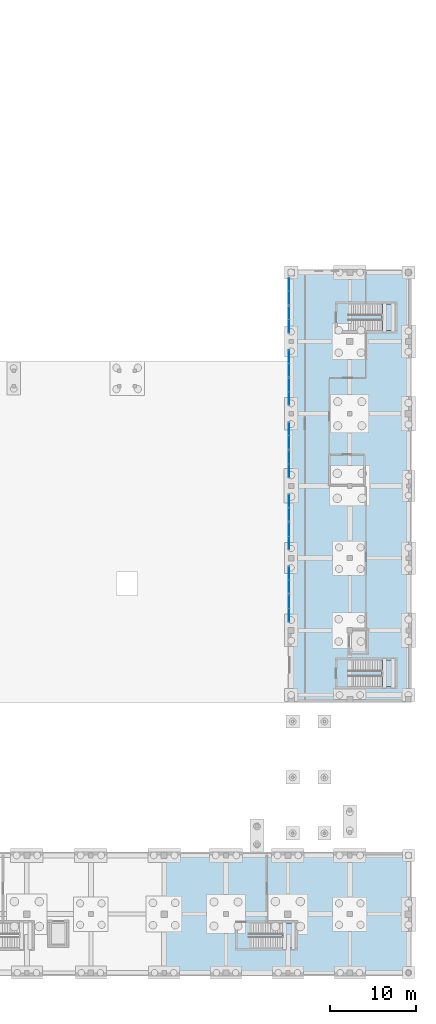
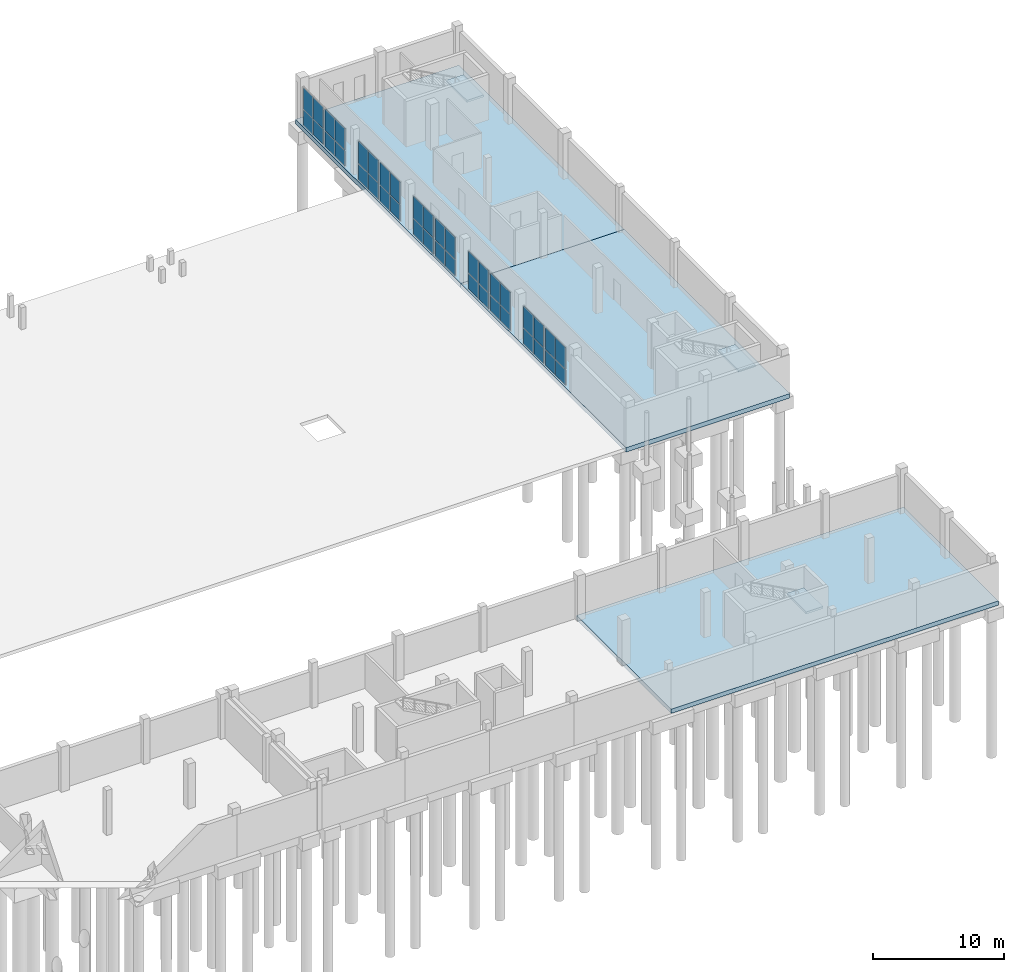
# One storey, part 23 of 41: 40 plates, 6 slabs, 13 elements without a shape of their own.
"""IFC4 building model written with IfcOpenShell, lengths in metres."""

from ifc_helpers import new_model, si_unit, direction, frame, origin, origin_2d, place, context, subcontext, project, spatial, polyline, rectangle, outline, extrude, material, layer, layer_set, type_object, element, aggregate, save


model = new_model("IFC4")

# Units and contexts
model_context = context("Model", 3, precision=1e-05, world=origin(), true_north=direction((0.0, 1.0)))
body_context = subcontext(model_context, "Body", "Model", "MODEL_VIEW")
ifc_project = project(units=[si_unit("LENGTHUNIT", "METRE"), si_unit("AREAUNIT", "SQUARE_METRE"), si_unit("VOLUMEUNIT", "CUBIC_METRE"), si_unit("PLANEANGLEUNIT", "RADIAN"), si_unit("MASSUNIT", "GRAM", prefix="KILO")], contexts=[model_context])

# Site, building, storey
site_placement = place(None, origin())
site = spatial("IfcSite", under=ifc_project, at=site_placement, CompositionType="ELEMENT")
building_placement = place(site_placement, origin())
building = spatial("IfcBuilding", under=site, at=building_placement, Name="Vardoun Plaza Health Centre", CompositionType="ELEMENT")
storey_placement = place(building_placement, frame((0.0, 0.0, -4.5)))
storey = spatial("IfcBuildingStorey", under=building, at=storey_placement, Name="B1", CompositionType="ELEMENT", Elevation=-4.5)

# Curtain wall, plates
ifc_material_1 = material(Name="Aluminium Alloy EN AW-6063-T6 and Low-E Glass", Category="aluminium")
ifc_layer_1 = layer(ifc_material_1, 0.179931640625)
ifc_layer_set_1 = layer_set([ifc_layer_1], Name="Aluminium Alloy EN AW-6063-T6 and Low-E Glass")
curtain_wall_type = type_object("IfcCurtainWallType", Name="CW-01", PredefinedType="USERDEFINED", material=ifc_layer_set_1)
curtain_wall_1_placement = place(storey_placement, origin())
curtain_wall_1 = element("IfcCurtainWall", 1, at=curtain_wall_1_placement, inside=storey, type_object=curtain_wall_type, Name="Curtain Wall CW-V6-181", ObjectType="CONCOURSE_CURTAIN_WALL", PredefinedType="USERDEFINED")
ifc_material_2 = material(Name="Acoustic Laminated Double Low-E Glazing", Category="glass")
ifc_layer_2 = layer(ifc_material_2, 0.031982421875)
ifc_layer_set_2 = layer_set([ifc_layer_2], Name="Acoustic Laminated Double Low-E Glazing")
plate_type = type_object("IfcPlateType", Name="CW-P2", PredefinedType="CURTAIN_PANEL", material=ifc_layer_set_2)
plate_1_placement = place(storey_placement, frame((151.02001953125, 46.46630859375, 0.06494140625), z_axis=(0.0, 0.0, 1.0), x_axis=(0.0, 1.0, 0.0)))
plate_1 = element("IfcPlate", 2, at=plate_1_placement, type_object=plate_type, Name="CW-V6-181 panel 1.1", PredefinedType="CURTAIN_PANEL", context=body_context, shape_type="SweptSolid", body=[
    extrude(rectangle(XDim=1.482421875, YDim=0.031982421875, at=origin_2d()), origin(), (0.0, 0.0, 1.0), 1.42919921875),
])
plate_2_placement = place(storey_placement, frame((151.02001953125, 46.46630859375, 1.559326171875), z_axis=(0.0, 0.0, 1.0), x_axis=(0.0, 1.0, 0.0)))
plate_2 = element("IfcPlate", 3, at=plate_2_placement, type_object=plate_type, Name="CW-V6-181 panel 1.2", PredefinedType="CURTAIN_PANEL", context=body_context, shape_type="SweptSolid", body=[
    extrude(rectangle(XDim=1.482421875, YDim=0.031982421875, at=origin_2d()), origin(), (0.0, 0.0, 1.0), 2.0107421875),
])
plate_3_placement = place(storey_placement, frame((151.02001953125, 48.013671875, 0.06494140625), z_axis=(0.0, 0.0, 1.0), x_axis=(0.0, 1.0, 0.0)))
plate_3 = element("IfcPlate", 4, at=plate_3_placement, type_object=plate_type, Name="CW-V6-181 panel 2.1", PredefinedType="CURTAIN_PANEL", context=body_context, shape_type="SweptSolid", body=[
    extrude(rectangle(XDim=1.482421875, YDim=0.031982421875, at=origin_2d()), origin(), (0.0, 0.0, 1.0), 1.42919921875),
])
plate_4_placement = place(storey_placement, frame((151.02001953125, 48.013671875, 1.559326171875), z_axis=(0.0, 0.0, 1.0), x_axis=(0.0, 1.0, 0.0)))
plate_4 = element("IfcPlate", 5, at=plate_4_placement, type_object=plate_type, Name="CW-V6-181 panel 2.2", PredefinedType="CURTAIN_PANEL", context=body_context, shape_type="SweptSolid", body=[
    extrude(rectangle(XDim=1.482421875, YDim=0.031982421875, at=origin_2d()), origin(), (0.0, 0.0, 1.0), 2.0107421875),
])
aggregate(curtain_wall_1, [plate_1, plate_2, plate_3, plate_4])

curtain_wall_2_placement = place(storey_placement, origin())
curtain_wall_2 = element("IfcCurtainWall", 6, at=curtain_wall_2_placement, inside=storey, type_object=curtain_wall_type, Name="Curtain Wall CW-V6-182", ObjectType="CONCOURSE_CURTAIN_WALL", PredefinedType="USERDEFINED")
plate_5_placement = place(storey_placement, frame((151.02001953125, 49.7861328125, 0.06494140625), z_axis=(0.0, 0.0, 1.0), x_axis=(0.0, 1.0, 0.0)))
plate_5 = element("IfcPlate", 7, at=plate_5_placement, type_object=plate_type, Name="CW-V6-182 panel 1.1", PredefinedType="CURTAIN_PANEL", context=body_context, shape_type="SweptSolid", body=[
    extrude(rectangle(XDim=1.482421875, YDim=0.031982421875, at=origin_2d()), origin(), (0.0, 0.0, 1.0), 1.42919921875),
])
plate_6_placement = place(storey_placement, frame((151.02001953125, 49.7861328125, 1.559326171875), z_axis=(0.0, 0.0, 1.0), x_axis=(0.0, 1.0, 0.0)))
plate_6 = element("IfcPlate", 8, at=plate_6_placement, type_object=plate_type, Name="CW-V6-182 panel 1.2", PredefinedType="CURTAIN_PANEL", context=body_context, shape_type="SweptSolid", body=[
    extrude(rectangle(XDim=1.482421875, YDim=0.031982421875, at=origin_2d()), origin(), (0.0, 0.0, 1.0), 2.0107421875),
])
plate_7_placement = place(storey_placement, frame((151.02001953125, 51.333740234375, 0.06494140625), z_axis=(0.0, 0.0, 1.0), x_axis=(0.0, 1.0, 0.0)))
plate_7 = element("IfcPlate", 9, at=plate_7_placement, type_object=plate_type, Name="CW-V6-182 panel 2.1", PredefinedType="CURTAIN_PANEL", context=body_context, shape_type="SweptSolid", body=[
    extrude(rectangle(XDim=1.482421875, YDim=0.031982421875, at=origin_2d()), origin(), (0.0, 0.0, 1.0), 1.42919921875),
])
plate_8_placement = place(storey_placement, frame((151.02001953125, 51.333740234375, 1.559326171875), z_axis=(0.0, 0.0, 1.0), x_axis=(0.0, 1.0, 0.0)))
plate_8 = element("IfcPlate", 10, at=plate_8_placement, type_object=plate_type, Name="CW-V6-182 panel 2.2", PredefinedType="CURTAIN_PANEL", context=body_context, shape_type="SweptSolid", body=[
    extrude(rectangle(XDim=1.482421875, YDim=0.031982421875, at=origin_2d()), origin(), (0.0, 0.0, 1.0), 2.0107421875),
])
aggregate(curtain_wall_2, [plate_5, plate_6, plate_7, plate_8])

curtain_wall_3_placement = place(storey_placement, origin())
curtain_wall_3 = element("IfcCurtainWall", 11, at=curtain_wall_3_placement, inside=storey, type_object=curtain_wall_type, Name="Curtain Wall CW-V6-183", ObjectType="CONCOURSE_CURTAIN_WALL", PredefinedType="USERDEFINED")
plate_9_placement = place(storey_placement, frame((151.02001953125, 54.8662109375, 0.06494140625), z_axis=(0.0, 0.0, 1.0), x_axis=(0.0, 1.0, 0.0)))
plate_9 = element("IfcPlate", 12, at=plate_9_placement, type_object=plate_type, Name="CW-V6-183 panel 1.1", PredefinedType="CURTAIN_PANEL", context=body_context, shape_type="SweptSolid", body=[
    extrude(rectangle(XDim=1.482421875, YDim=0.031982421875, at=origin_2d()), origin(), (0.0, 0.0, 1.0), 1.4375),
])
plate_10_placement = place(storey_placement, frame((151.02001953125, 54.8662109375, 1.567626953125), z_axis=(0.0, 0.0, 1.0), x_axis=(0.0, 1.0, 0.0)))
plate_10 = element("IfcPlate", 13, at=plate_10_placement, type_object=plate_type, Name="CW-V6-183 panel 1.2", PredefinedType="CURTAIN_PANEL", context=body_context, shape_type="SweptSolid", body=[
    extrude(rectangle(XDim=1.482421875, YDim=0.031982421875, at=origin_2d()), origin(), (0.0, 0.0, 1.0), 2.0224609375),
])
plate_11_placement = place(storey_placement, frame((151.02001953125, 56.413818359375, 0.06494140625), z_axis=(0.0, 0.0, 1.0), x_axis=(0.0, 1.0, 0.0)))
plate_11 = element("IfcPlate", 14, at=plate_11_placement, type_object=plate_type, Name="CW-V6-183 panel 2.1", PredefinedType="CURTAIN_PANEL", context=body_context, shape_type="SweptSolid", body=[
    extrude(rectangle(XDim=1.482421875, YDim=0.031982421875, at=origin_2d()), origin(), (0.0, 0.0, 1.0), 1.4375),
])
plate_12_placement = place(storey_placement, frame((151.02001953125, 56.413818359375, 1.567626953125), z_axis=(0.0, 0.0, 1.0), x_axis=(0.0, 1.0, 0.0)))
plate_12 = element("IfcPlate", 15, at=plate_12_placement, type_object=plate_type, Name="CW-V6-183 panel 2.2", PredefinedType="CURTAIN_PANEL", context=body_context, shape_type="SweptSolid", body=[
    extrude(rectangle(XDim=1.482421875, YDim=0.031982421875, at=origin_2d()), origin(), (0.0, 0.0, 1.0), 2.0224609375),
])
aggregate(curtain_wall_3, [plate_9, plate_10, plate_11, plate_12])

curtain_wall_4_placement = place(storey_placement, origin())
curtain_wall_4 = element("IfcCurtainWall", 16, at=curtain_wall_4_placement, inside=storey, type_object=curtain_wall_type, Name="Curtain Wall CW-V6-184", ObjectType="CONCOURSE_CURTAIN_WALL", PredefinedType="USERDEFINED")
plate_13_placement = place(storey_placement, frame((151.02001953125, 58.186279296875, 0.06494140625), z_axis=(0.0, 0.0, 1.0), x_axis=(0.0, 1.0, 0.0)))
plate_13 = element("IfcPlate", 17, at=plate_13_placement, type_object=plate_type, Name="CW-V6-184 panel 1.1", PredefinedType="CURTAIN_PANEL", context=body_context, shape_type="SweptSolid", body=[
    extrude(rectangle(XDim=1.482421875, YDim=0.031982421875, at=origin_2d()), origin(), (0.0, 0.0, 1.0), 1.4375),
])
plate_14_placement = place(storey_placement, frame((151.02001953125, 58.186279296875, 1.567626953125), z_axis=(0.0, 0.0, 1.0), x_axis=(0.0, 1.0, 0.0)))
plate_14 = element("IfcPlate", 18, at=plate_14_placement, type_object=plate_type, Name="CW-V6-184 panel 1.2", PredefinedType="CURTAIN_PANEL", context=body_context, shape_type="SweptSolid", body=[
    extrude(rectangle(XDim=1.482421875, YDim=0.031982421875, at=origin_2d()), origin(), (0.0, 0.0, 1.0), 2.0224609375),
])
plate_15_placement = place(storey_placement, frame((151.02001953125, 59.733642578125, 0.06494140625), z_axis=(0.0, 0.0, 1.0), x_axis=(0.0, 1.0, 0.0)))
plate_15 = element("IfcPlate", 19, at=plate_15_placement, type_object=plate_type, Name="CW-V6-184 panel 2.1", PredefinedType="CURTAIN_PANEL", context=body_context, shape_type="SweptSolid", body=[
    extrude(rectangle(XDim=1.482421875, YDim=0.031982421875, at=origin_2d()), origin(), (0.0, 0.0, 1.0), 1.4375),
])
plate_16_placement = place(storey_placement, frame((151.02001953125, 59.733642578125, 1.567626953125), z_axis=(0.0, 0.0, 1.0), x_axis=(0.0, 1.0, 0.0)))
plate_16 = element("IfcPlate", 20, at=plate_16_placement, type_object=plate_type, Name="CW-V6-184 panel 2.2", PredefinedType="CURTAIN_PANEL", context=body_context, shape_type="SweptSolid", body=[
    extrude(rectangle(XDim=1.482421875, YDim=0.031982421875, at=origin_2d()), origin(), (0.0, 0.0, 1.0), 2.0224609375),
])
aggregate(curtain_wall_4, [plate_13, plate_14, plate_15, plate_16])

curtain_wall_5_placement = place(storey_placement, origin())
curtain_wall_5 = element("IfcCurtainWall", 21, at=curtain_wall_5_placement, inside=storey, type_object=curtain_wall_type, Name="Curtain Wall CW-V6-185", ObjectType="CONCOURSE_CURTAIN_WALL", PredefinedType="USERDEFINED")
plate_17_placement = place(storey_placement, frame((151.02001953125, 63.266357421875, 0.06494140625), z_axis=(0.0, 0.0, 1.0), x_axis=(0.0, 1.0, 0.0)))
plate_17 = element("IfcPlate", 22, at=plate_17_placement, type_object=plate_type, Name="CW-V6-185 panel 1.1", PredefinedType="CURTAIN_PANEL", context=body_context, shape_type="SweptSolid", body=[
    extrude(rectangle(XDim=1.482421875, YDim=0.031982421875, at=origin_2d()), origin(), (0.0, 0.0, 1.0), 1.4501953125),
])
plate_18_placement = place(storey_placement, frame((151.02001953125, 63.266357421875, 1.580078125), z_axis=(0.0, 0.0, 1.0), x_axis=(0.0, 1.0, 0.0)))
plate_18 = element("IfcPlate", 23, at=plate_18_placement, type_object=plate_type, Name="CW-V6-185 panel 1.2", PredefinedType="CURTAIN_PANEL", context=body_context, shape_type="SweptSolid", body=[
    extrude(rectangle(XDim=1.482421875, YDim=0.031982421875, at=origin_2d()), origin(), (0.0, 0.0, 1.0), 2.039794921875),
])
plate_19_placement = place(storey_placement, frame((151.02001953125, 64.813720703125, 0.06494140625), z_axis=(0.0, 0.0, 1.0), x_axis=(0.0, 1.0, 0.0)))
plate_19 = element("IfcPlate", 24, at=plate_19_placement, type_object=plate_type, Name="CW-V6-185 panel 2.1", PredefinedType="CURTAIN_PANEL", context=body_context, shape_type="SweptSolid", body=[
    extrude(rectangle(XDim=1.482421875, YDim=0.031982421875, at=origin_2d()), origin(), (0.0, 0.0, 1.0), 1.4501953125),
])
plate_20_placement = place(storey_placement, frame((151.02001953125, 64.813720703125, 1.580078125), z_axis=(0.0, 0.0, 1.0), x_axis=(0.0, 1.0, 0.0)))
plate_20 = element("IfcPlate", 25, at=plate_20_placement, type_object=plate_type, Name="CW-V6-185 panel 2.2", PredefinedType="CURTAIN_PANEL", context=body_context, shape_type="SweptSolid", body=[
    extrude(rectangle(XDim=1.482421875, YDim=0.031982421875, at=origin_2d()), origin(), (0.0, 0.0, 1.0), 2.039794921875),
])
aggregate(curtain_wall_5, [plate_17, plate_18, plate_19, plate_20])

curtain_wall_6_placement = place(storey_placement, origin())
curtain_wall_6 = element("IfcCurtainWall", 26, at=curtain_wall_6_placement, inside=storey, type_object=curtain_wall_type, Name="Curtain Wall CW-V6-186", ObjectType="CONCOURSE_CURTAIN_WALL", PredefinedType="USERDEFINED")
plate_21_placement = place(storey_placement, frame((151.02001953125, 66.586181640625, 0.06494140625), z_axis=(0.0, 0.0, 1.0), x_axis=(0.0, 1.0, 0.0)))
plate_21 = element("IfcPlate", 27, at=plate_21_placement, type_object=plate_type, Name="CW-V6-186 panel 1.1", PredefinedType="CURTAIN_PANEL", context=body_context, shape_type="SweptSolid", body=[
    extrude(rectangle(XDim=1.482421875, YDim=0.031982421875, at=origin_2d()), origin(), (0.0, 0.0, 1.0), 1.4501953125),
])
plate_22_placement = place(storey_placement, frame((151.02001953125, 66.586181640625, 1.580078125), z_axis=(0.0, 0.0, 1.0), x_axis=(0.0, 1.0, 0.0)))
plate_22 = element("IfcPlate", 28, at=plate_22_placement, type_object=plate_type, Name="CW-V6-186 panel 1.2", PredefinedType="CURTAIN_PANEL", context=body_context, shape_type="SweptSolid", body=[
    extrude(rectangle(XDim=1.482421875, YDim=0.031982421875, at=origin_2d()), origin(), (0.0, 0.0, 1.0), 2.039794921875),
])
plate_23_placement = place(storey_placement, frame((151.02001953125, 68.1337890625, 0.06494140625), z_axis=(0.0, 0.0, 1.0), x_axis=(0.0, 1.0, 0.0)))
plate_23 = element("IfcPlate", 29, at=plate_23_placement, type_object=plate_type, Name="CW-V6-186 panel 2.1", PredefinedType="CURTAIN_PANEL", context=body_context, shape_type="SweptSolid", body=[
    extrude(rectangle(XDim=1.482421875, YDim=0.031982421875, at=origin_2d()), origin(), (0.0, 0.0, 1.0), 1.4501953125),
])
plate_24_placement = place(storey_placement, frame((151.02001953125, 68.1337890625, 1.580078125), z_axis=(0.0, 0.0, 1.0), x_axis=(0.0, 1.0, 0.0)))
plate_24 = element("IfcPlate", 30, at=plate_24_placement, type_object=plate_type, Name="CW-V6-186 panel 2.2", PredefinedType="CURTAIN_PANEL", context=body_context, shape_type="SweptSolid", body=[
    extrude(rectangle(XDim=1.482421875, YDim=0.031982421875, at=origin_2d()), origin(), (0.0, 0.0, 1.0), 2.039794921875),
])
aggregate(curtain_wall_6, [plate_21, plate_22, plate_23, plate_24])

curtain_wall_7_placement = place(storey_placement, origin())
curtain_wall_7 = element("IfcCurtainWall", 31, at=curtain_wall_7_placement, inside=storey, type_object=curtain_wall_type, Name="Curtain Wall CW-V6-187", ObjectType="CONCOURSE_CURTAIN_WALL", PredefinedType="USERDEFINED")
plate_25_placement = place(storey_placement, frame((151.02001953125, 71.666259765625, 0.06494140625), z_axis=(0.0, 0.0, 1.0), x_axis=(0.0, 1.0, 0.0)))
plate_25 = element("IfcPlate", 32, at=plate_25_placement, type_object=plate_type, Name="CW-V6-187 panel 1.1", PredefinedType="CURTAIN_PANEL", context=body_context, shape_type="SweptSolid", body=[
    extrude(rectangle(XDim=1.482421875, YDim=0.031982421875, at=origin_2d()), origin(), (0.0, 0.0, 1.0), 1.47119140625),
])
plate_26_placement = place(storey_placement, frame((151.02001953125, 71.666259765625, 1.60107421875), z_axis=(0.0, 0.0, 1.0), x_axis=(0.0, 1.0, 0.0)))
plate_26 = element("IfcPlate", 33, at=plate_26_placement, type_object=plate_type, Name="CW-V6-187 panel 1.2", PredefinedType="CURTAIN_PANEL", context=body_context, shape_type="SweptSolid", body=[
    extrude(rectangle(XDim=1.482421875, YDim=0.031982421875, at=origin_2d()), origin(), (0.0, 0.0, 1.0), 2.06884765625),
])
plate_27_placement = place(storey_placement, frame((151.02001953125, 73.2138671875, 0.06494140625), z_axis=(0.0, 0.0, 1.0), x_axis=(0.0, 1.0, 0.0)))
plate_27 = element("IfcPlate", 34, at=plate_27_placement, type_object=plate_type, Name="CW-V6-187 panel 2.1", PredefinedType="CURTAIN_PANEL", context=body_context, shape_type="SweptSolid", body=[
    extrude(rectangle(XDim=1.482421875, YDim=0.031982421875, at=origin_2d()), origin(), (0.0, 0.0, 1.0), 1.47119140625),
])
plate_28_placement = place(storey_placement, frame((151.02001953125, 73.2138671875, 1.60107421875), z_axis=(0.0, 0.0, 1.0), x_axis=(0.0, 1.0, 0.0)))
plate_28 = element("IfcPlate", 35, at=plate_28_placement, type_object=plate_type, Name="CW-V6-187 panel 2.2", PredefinedType="CURTAIN_PANEL", context=body_context, shape_type="SweptSolid", body=[
    extrude(rectangle(XDim=1.482421875, YDim=0.031982421875, at=origin_2d()), origin(), (0.0, 0.0, 1.0), 2.06884765625),
])
aggregate(curtain_wall_7, [plate_25, plate_26, plate_27, plate_28])

curtain_wall_8_placement = place(storey_placement, origin())
curtain_wall_8 = element("IfcCurtainWall", 36, at=curtain_wall_8_placement, inside=storey, type_object=curtain_wall_type, Name="Curtain Wall CW-V6-188", ObjectType="CONCOURSE_CURTAIN_WALL", PredefinedType="USERDEFINED")
plate_29_placement = place(storey_placement, frame((151.02001953125, 74.986328125, 0.06494140625), z_axis=(0.0, 0.0, 1.0), x_axis=(0.0, 1.0, 0.0)))
plate_29 = element("IfcPlate", 37, at=plate_29_placement, type_object=plate_type, Name="CW-V6-188 panel 1.1", PredefinedType="CURTAIN_PANEL", context=body_context, shape_type="SweptSolid", body=[
    extrude(rectangle(XDim=1.482421875, YDim=0.031982421875, at=origin_2d()), origin(), (0.0, 0.0, 1.0), 1.47119140625),
])
plate_30_placement = place(storey_placement, frame((151.02001953125, 74.986328125, 1.60107421875), z_axis=(0.0, 0.0, 1.0), x_axis=(0.0, 1.0, 0.0)))
plate_30 = element("IfcPlate", 38, at=plate_30_placement, type_object=plate_type, Name="CW-V6-188 panel 1.2", PredefinedType="CURTAIN_PANEL", context=body_context, shape_type="SweptSolid", body=[
    extrude(rectangle(XDim=1.482421875, YDim=0.031982421875, at=origin_2d()), origin(), (0.0, 0.0, 1.0), 2.06884765625),
])
plate_31_placement = place(storey_placement, frame((151.02001953125, 76.53369140625, 0.06494140625), z_axis=(0.0, 0.0, 1.0), x_axis=(0.0, 1.0, 0.0)))
plate_31 = element("IfcPlate", 39, at=plate_31_placement, type_object=plate_type, Name="CW-V6-188 panel 2.1", PredefinedType="CURTAIN_PANEL", context=body_context, shape_type="SweptSolid", body=[
    extrude(rectangle(XDim=1.482421875, YDim=0.031982421875, at=origin_2d()), origin(), (0.0, 0.0, 1.0), 1.47119140625),
])
plate_32_placement = place(storey_placement, frame((151.02001953125, 76.53369140625, 1.60107421875), z_axis=(0.0, 0.0, 1.0), x_axis=(0.0, 1.0, 0.0)))
plate_32 = element("IfcPlate", 40, at=plate_32_placement, type_object=plate_type, Name="CW-V6-188 panel 2.2", PredefinedType="CURTAIN_PANEL", context=body_context, shape_type="SweptSolid", body=[
    extrude(rectangle(XDim=1.482421875, YDim=0.031982421875, at=origin_2d()), origin(), (0.0, 0.0, 1.0), 2.06884765625),
])
aggregate(curtain_wall_8, [plate_29, plate_30, plate_31, plate_32])

curtain_wall_9_placement = place(storey_placement, origin())
curtain_wall_9 = element("IfcCurtainWall", 41, at=curtain_wall_9_placement, inside=storey, type_object=curtain_wall_type, Name="Curtain Wall CW-V6-189", ObjectType="CONCOURSE_CURTAIN_WALL", PredefinedType="USERDEFINED")
plate_33_placement = place(storey_placement, frame((151.02001953125, 80.066162109375, 0.06494140625), z_axis=(0.0, 0.0, 1.0), x_axis=(0.0, 1.0, 0.0)))
plate_33 = element("IfcPlate", 42, at=plate_33_placement, type_object=plate_type, Name="CW-V6-189 panel 1.1", PredefinedType="CURTAIN_PANEL", context=body_context, shape_type="SweptSolid", body=[
    extrude(rectangle(XDim=1.482421875, YDim=0.031982421875, at=origin_2d()), origin(), (0.0, 0.0, 1.0), 1.4208984375),
])
plate_34_placement = place(storey_placement, frame((151.02001953125, 80.066162109375, 1.55078125), z_axis=(0.0, 0.0, 1.0), x_axis=(0.0, 1.0, 0.0)))
plate_34 = element("IfcPlate", 43, at=plate_34_placement, type_object=plate_type, Name="CW-V6-189 panel 1.2", PredefinedType="CURTAIN_PANEL", context=body_context, shape_type="SweptSolid", body=[
    extrude(rectangle(XDim=1.482421875, YDim=0.031982421875, at=origin_2d()), origin(), (0.0, 0.0, 1.0), 1.999267578125),
])
plate_35_placement = place(storey_placement, frame((151.02001953125, 81.61376953125, 0.06494140625), z_axis=(0.0, 0.0, 1.0), x_axis=(0.0, 1.0, 0.0)))
plate_35 = element("IfcPlate", 44, at=plate_35_placement, type_object=plate_type, Name="CW-V6-189 panel 2.1", PredefinedType="CURTAIN_PANEL", context=body_context, shape_type="SweptSolid", body=[
    extrude(rectangle(XDim=1.482421875, YDim=0.031982421875, at=origin_2d()), origin(), (0.0, 0.0, 1.0), 1.4208984375),
])
plate_36_placement = place(storey_placement, frame((151.02001953125, 81.61376953125, 1.55078125), z_axis=(0.0, 0.0, 1.0), x_axis=(0.0, 1.0, 0.0)))
plate_36 = element("IfcPlate", 45, at=plate_36_placement, type_object=plate_type, Name="CW-V6-189 panel 2.2", PredefinedType="CURTAIN_PANEL", context=body_context, shape_type="SweptSolid", body=[
    extrude(rectangle(XDim=1.482421875, YDim=0.031982421875, at=origin_2d()), origin(), (0.0, 0.0, 1.0), 1.999267578125),
])
aggregate(curtain_wall_9, [plate_33, plate_34, plate_35, plate_36])

curtain_wall_10_placement = place(storey_placement, origin())
curtain_wall_10 = element("IfcCurtainWall", 46, at=curtain_wall_10_placement, inside=storey, type_object=curtain_wall_type, Name="Curtain Wall CW-V6-190", ObjectType="CONCOURSE_CURTAIN_WALL", PredefinedType="USERDEFINED")
plate_37_placement = place(storey_placement, frame((151.02001953125, 83.38623046875, 0.06494140625), z_axis=(0.0, 0.0, 1.0), x_axis=(0.0, 1.0, 0.0)))
plate_37 = element("IfcPlate", 47, at=plate_37_placement, type_object=plate_type, Name="CW-V6-190 panel 1.1", PredefinedType="CURTAIN_PANEL", context=body_context, shape_type="SweptSolid", body=[
    extrude(rectangle(XDim=1.482421875, YDim=0.031982421875, at=origin_2d()), origin(), (0.0, 0.0, 1.0), 1.4208984375),
])
plate_38_placement = place(storey_placement, frame((151.02001953125, 83.38623046875, 1.55078125), z_axis=(0.0, 0.0, 1.0), x_axis=(0.0, 1.0, 0.0)))
plate_38 = element("IfcPlate", 48, at=plate_38_placement, type_object=plate_type, Name="CW-V6-190 panel 1.2", PredefinedType="CURTAIN_PANEL", context=body_context, shape_type="SweptSolid", body=[
    extrude(rectangle(XDim=1.482421875, YDim=0.031982421875, at=origin_2d()), origin(), (0.0, 0.0, 1.0), 1.999267578125),
])
plate_39_placement = place(storey_placement, frame((151.02001953125, 84.933837890625, 0.06494140625), z_axis=(0.0, 0.0, 1.0), x_axis=(0.0, 1.0, 0.0)))
plate_39 = element("IfcPlate", 49, at=plate_39_placement, type_object=plate_type, Name="CW-V6-190 panel 2.1", PredefinedType="CURTAIN_PANEL", context=body_context, shape_type="SweptSolid", body=[
    extrude(rectangle(XDim=1.482421875, YDim=0.031982421875, at=origin_2d()), origin(), (0.0, 0.0, 1.0), 1.4208984375),
])
plate_40_placement = place(storey_placement, frame((151.02001953125, 84.933837890625, 1.55078125), z_axis=(0.0, 0.0, 1.0), x_axis=(0.0, 1.0, 0.0)))
plate_40 = element("IfcPlate", 50, at=plate_40_placement, type_object=plate_type, Name="CW-V6-190 panel 2.2", PredefinedType="CURTAIN_PANEL", context=body_context, shape_type="SweptSolid", body=[
    extrude(rectangle(XDim=1.482421875, YDim=0.031982421875, at=origin_2d()), origin(), (0.0, 0.0, 1.0), 1.999267578125),
])
aggregate(curtain_wall_10, [plate_37, plate_38, plate_39, plate_40])

# Stair, slab
ifc_material_3 = material(Name="Concrete C35/45", Category="concrete")
stair_type = type_object("IfcStairType", Name="ST-01", PredefinedType="HALF_TURN_STAIR", material=ifc_material_3)
stair_1_placement = place(storey_placement, origin())
stair_1 = element("IfcStair", 51, at=stair_1_placement, inside=storey, type_object=stair_type, Name="Core C10 B1 Exit Stair ST-C10-B1", PredefinedType="HALF_TURN_STAIR")
ifc_material_4 = material(Name="Concrete C35/45", Category="concrete")
ifc_layer_3 = layer(ifc_material_4, 0.199951171875)
ifc_layer_set_3 = layer_set([ifc_layer_3], Name="Concrete C35/45")
slab_type_1 = type_object("IfcSlabType", Name="SL-LD", PredefinedType="LANDING", material=ifc_layer_set_3)
slab_1_placement = place(storey_placement, frame((0.0, 0.0, 2.050048828125)))
slab_1 = element("IfcSlab", 52, at=slab_1_placement, type_object=slab_type_1, Name="ST-C10-B1 landing 1", PredefinedType="LANDING", context=body_context, shape_type="SweptSolid", body=[
    extrude(outline(polyline([(161.869384765625, 38.14990234375), (163.35009765625, 38.14990234375), (163.35009765625, 41.25), (161.869384765625, 41.25), (161.869384765625, 38.14990234375)])), origin(), (0.0, 0.0, 1.0), 0.199951171875),
])
aggregate(stair_1, [slab_1])

stair_2_placement = place(storey_placement, origin())
stair_2 = element("IfcStair", 53, at=stair_2_placement, inside=storey, type_object=stair_type, Name="Core C11 B1 Exit Stair ST-C11-B1", PredefinedType="HALF_TURN_STAIR")
slab_2_placement = place(storey_placement, frame((0.0, 0.0, 2.050048828125)))
slab_2 = element("IfcSlab", 54, at=slab_2_placement, type_object=slab_type_1, Name="ST-C11-B1 landing 1", PredefinedType="LANDING", context=body_context, shape_type="SweptSolid", body=[
    extrude(outline(polyline([(161.869384765625, 79.550048828125), (163.35009765625, 79.550048828125), (163.35009765625, 82.64990234375), (161.869384765625, 82.64990234375), (161.869384765625, 79.550048828125)])), origin(), (0.0, 0.0, 1.0), 0.199951171875),
])
aggregate(stair_2, [slab_2])

stair_3_placement = place(storey_placement, origin())
stair_3 = element("IfcStair", 55, at=stair_3_placement, inside=storey, type_object=stair_type, Name="Core C9 B1 Exit Stair ST-C9-B1", PredefinedType="HALF_TURN_STAIR")
slab_3_placement = place(storey_placement, frame((0.0, 0.0, 2.050048828125)))
slab_3 = element("IfcSlab", 56, at=slab_3_placement, type_object=slab_type_1, Name="ST-C9-B1 landing 1", PredefinedType="LANDING", context=body_context, shape_type="SweptSolid", body=[
    extrude(outline(polyline([(150.269287109375, 7.75), (151.75, 7.75), (151.75, 10.64990234375), (150.269287109375, 10.64990234375), (150.269287109375, 7.75)])), origin(), (0.0, 0.0, 1.0), 0.199951171875),
])
aggregate(stair_3, [slab_3])

# Slabs
ifc_material_5 = material(Name="Concrete C35/45", Category="concrete")
ifc_layer_4 = layer(ifc_material_5, 0.39990234375)
ifc_layer_set_4 = layer_set([ifc_layer_4], Name="Concrete C35/45")
slab_type_2 = type_object("IfcSlabType", Name="SL-B2", PredefinedType="BASESLAB", material=ifc_layer_set_4)
slab_4_placement = place(storey_placement, frame((0.0, 0.0, -0.39990234375)))
element("IfcSlab", 57, at=slab_4_placement, inside=storey, type_object=slab_type_2, Name="V5 B1 Structural Slab B", PredefinedType="BASESLAB", context=body_context, shape_type="SweptSolid", body=[
    extrude(outline(polyline([(136.5, 4.5), (165.300048828125, 4.5), (165.300048828125, 18.89990234375), (136.5, 18.89990234375), (136.5, 4.5)])), origin(), (0.0, 0.0, 1.0), 0.39990234375),
])
ifc_material_6 = material(Name="Concrete C35/45", Category="concrete")
ifc_layer_5 = layer(ifc_material_6, 0.419921875)
ifc_layer_set_5 = layer_set([ifc_layer_5], Name="Concrete C35/45")
slab_type_3 = type_object("IfcSlabType", Name="SL-B1", PredefinedType="BASESLAB", material=ifc_layer_set_5)
slab_5_placement = place(storey_placement, frame((0.0, 0.0, -0.419921875)))
element("IfcSlab", 58, at=slab_5_placement, inside=storey, type_object=slab_type_3, Name="V6 B1 Structural Slab S", PredefinedType="BASESLAB", context=body_context, shape_type="SweptSolid", body=[
    extrude(outline(polyline([(150.89990234375, 36.300048828125), (165.300048828125, 36.300048828125), (165.300048828125, 61.5), (150.89990234375, 61.5), (150.89990234375, 36.300048828125)])), origin(), (0.0, 0.0, 1.0), 0.419921875),
])
slab_6_placement = place(storey_placement, frame((0.0, 0.0, -0.419921875)))
element("IfcSlab", 59, at=slab_6_placement, inside=storey, type_object=slab_type_3, Name="V6 B1 Structural Slab N", PredefinedType="BASESLAB", context=body_context, shape_type="SweptSolid", body=[
    extrude(outline(polyline([(150.89990234375, 61.5), (165.300048828125, 61.5), (165.300048828125, 86.699951171875), (150.89990234375, 86.699951171875), (150.89990234375, 61.5)])), origin(), (0.0, 0.0, 1.0), 0.419921875),
])

save(model, "model.ifc")
